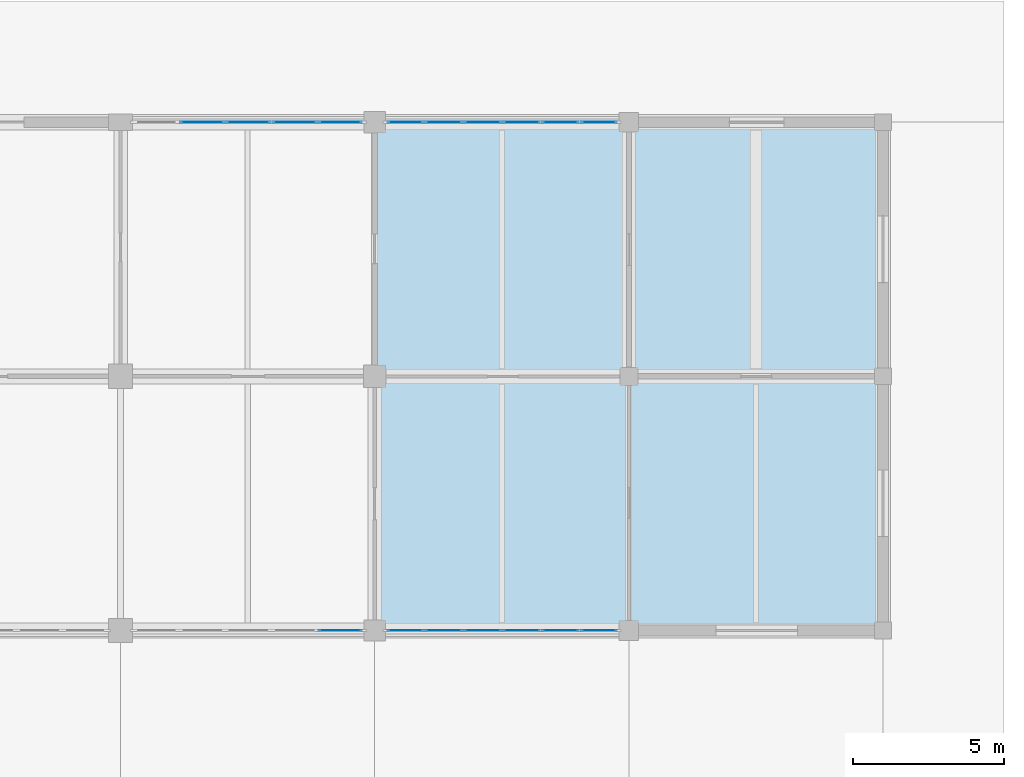
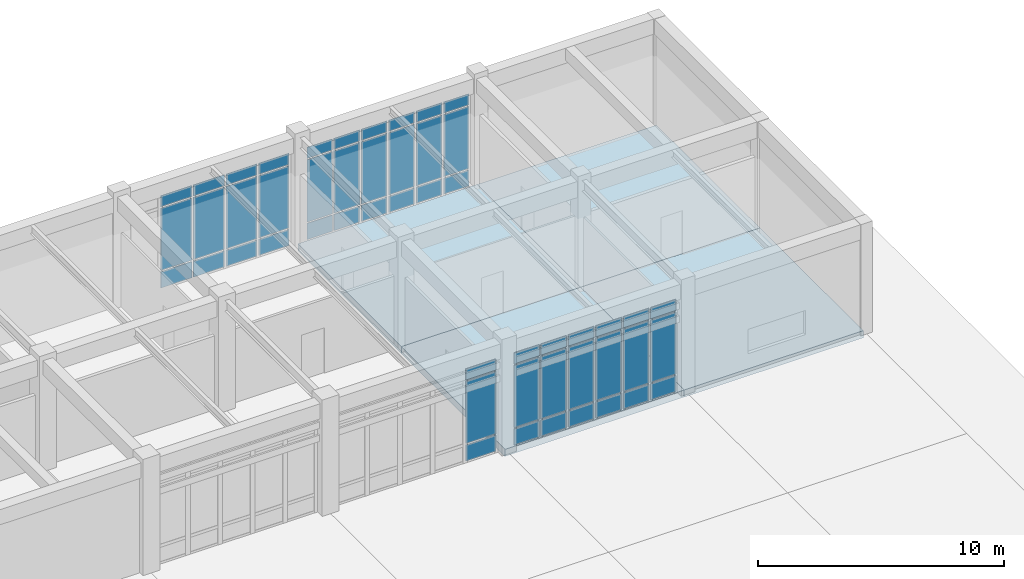
# One storey, part 64 of 91: 51 plates, 4 slabs, 4 elements without a shape of their own.
"""IFC4 building model written with IfcOpenShell, lengths in metres."""

import ifcopenshell
import ifcopenshell.guid

model = None  # the IFC model being written
_history = None  # IfcOwnerHistory: only IFC2X3 demands one
_inside = {}  # id of a spatial element -> (the spatial element, [elements in it])
_under = {}  # id of a project, library or spatial element -> (it, [spatial elements below it])
_declared = {}  # id of a project -> (the project, [libraries it declares])
_typed = {}  # id of a type object -> (the type object, [elements of that type])
_made_of = {}  # id of a material, layer set ... -> (it, [elements and type objects made of it])


def new_model(schema):
    """Start an empty IFC model of exactly this schema.

    Asked for "IFC4X3", IfcOpenShell would pick the latest addendum, in which some entities
    have other attributes; the version numbers below select the first issue.
    IFC2X3 requires an IfcOwnerHistory on every rooted entity: one is made here for all.
    """
    global model, _history
    if schema == "IFC4X3":
        model = ifcopenshell.file(schema_version=(4, 3, 0, 0))
    else:
        model = ifcopenshell.file(schema=schema)
    _inside.clear()
    _under.clear()
    _declared.clear()
    _typed.clear()
    _made_of.clear()
    _history = None
    if model.schema == "IFC2X3":
        org = make("IfcOrganization", Name="unknown")
        user = make(
            "IfcPersonAndOrganization",
            ThePerson=make("IfcPerson", FamilyName="unknown"),
            TheOrganization=org,
        )
        app = make(
            "IfcApplication",
            ApplicationDeveloper=org,
            Version="unknown",
            ApplicationFullName="unknown",
            ApplicationIdentifier="unknown",
        )
        _history = make(
            "IfcOwnerHistory",
            OwningUser=user,
            OwningApplication=app,
            ChangeAction="ADDED",
            CreationDate=0,
        )
    return model


def make(cls, **values):
    """One entity of the class cls with the attributes given. An attribute that is None is left unset."""
    return model.create_entity(
        cls, **{name: value for name, value in values.items() if value is not None}
    )


def rooted(cls, **values):
    """An entity with a GlobalId (a new one), such as an element, a storey or a relation."""
    return make(cls, GlobalId=ifcopenshell.guid.new(), OwnerHistory=_history, **values)


def si_unit(unit_type, name, prefix=None):
    """IfcSIUnit, for example si_unit("LENGTHUNIT", "METRE", prefix="MILLI")."""
    return make("IfcSIUnit", UnitType=unit_type, Prefix=prefix, Name=name)


def assignment(units):
    """IfcUnitAssignment: the units of a project."""
    return None if units is None else make("IfcUnitAssignment", Units=units)


def point(xyz):
    """IfcCartesianPoint."""
    return None if xyz is None else make("IfcCartesianPoint", Coordinates=xyz)


def direction(xyz):
    """IfcDirection."""
    return None if xyz is None else make("IfcDirection", DirectionRatios=xyz)


def frame(location, z_axis=None, x_axis=None):
    """IfcAxis2Placement3D, a coordinate frame: its origin and axes. An axis left out is left unset."""
    return make(
        "IfcAxis2Placement3D",
        Location=point(location),
        Axis=direction(z_axis),
        RefDirection=direction(x_axis),
    )


def frame_2d(location, x_axis=None):
    """IfcAxis2Placement2D, a coordinate frame in the plane: its origin and x axis."""
    return make(
        "IfcAxis2Placement2D", Location=point(location), RefDirection=direction(x_axis)
    )


def origin():
    """The frame at (0, 0, 0) with its axes left unset."""
    return frame((0.0, 0.0, 0.0))


def origin_2d():
    """The frame at (0, 0) in the plane with its x axis left unset."""
    return frame_2d((0.0, 0.0))


def place(relative_to, where):
    """IfcLocalPlacement: puts the frame where relative to a parent placement (None: the world)."""
    return make(
        "IfcLocalPlacement", PlacementRelTo=relative_to, RelativePlacement=where
    )


def context(
    kind, dimensions, precision=None, world=None, true_north=None, identifier=None
):
    """IfcGeometricRepresentationContext, for example the 3D "Model" context."""
    return make(
        "IfcGeometricRepresentationContext",
        ContextIdentifier=identifier,
        ContextType=kind,
        CoordinateSpaceDimension=dimensions,
        Precision=precision,
        WorldCoordinateSystem=world,
        TrueNorth=true_north,
    )


def subcontext(parent, identifier, kind, view, scale=None):
    """IfcGeometricRepresentationSubContext, for example "Body" below "Model"."""
    return make(
        "IfcGeometricRepresentationSubContext",
        ContextIdentifier=identifier,
        ContextType=kind,
        ParentContext=parent,
        TargetScale=scale,
        TargetView=view,
    )


def project(units=None, contexts=None):
    """IfcProject with its units and contexts."""
    return rooted(
        "IfcProject",
        Name="project",
        RepresentationContexts=contexts,
        UnitsInContext=assignment(units),
    )


def spatial(cls, under=None, at=None, **own):
    """A site, building, storey or space (cls), placed at a placement, below another one or the project."""
    s = rooted(cls, ObjectPlacement=at, **own)
    if under is not None:
        _under.setdefault(under.id(), (under, []))[1].append(s)
    return s


def polyline(points):
    """IfcPolyline through the points."""
    return make("IfcPolyline", Points=[point(p) for p in points])


def profile(cls, at=None, kind="AREA", **sizes):
    """A parametric profile (cls). Its sizes go by their IFC names, for example OverallWidth=200.0."""
    return make(cls, ProfileType=kind, Position=at, **sizes)


def rectangle(**sizes):
    """IfcRectangleProfileDef."""
    return profile("IfcRectangleProfileDef", **sizes)


def outline(outer, holes=None, kind="AREA"):
    """IfcArbitraryClosedProfileDef: a profile drawn as a closed curve; with holes, ...WithVoids."""
    if holes is None:
        return make("IfcArbitraryClosedProfileDef", ProfileType=kind, OuterCurve=outer)
    return make(
        "IfcArbitraryProfileDefWithVoids",
        ProfileType=kind,
        OuterCurve=outer,
        InnerCurves=holes,
    )


def extrude(swept, where, along, depth):
    """IfcExtrudedAreaSolid: the profile swept, set in the frame where, extruded along a direction by depth."""
    return make(
        "IfcExtrudedAreaSolid",
        SweptArea=swept,
        Position=where,
        ExtrudedDirection=direction(along),
        Depth=depth,
    )


def shape(context_of_items, identifier, shape_type, items):
    """IfcShapeRepresentation: the items that make up one representation, for example the "Body"."""
    return make(
        "IfcShapeRepresentation",
        ContextOfItems=context_of_items,
        RepresentationIdentifier=identifier,
        RepresentationType=shape_type,
        Items=items,
    )


def material(Name=None, Category=None):
    """IfcMaterial."""
    return make("IfcMaterial", Name=Name, Category=Category)


def layer(
    of_material, thickness, ventilated=None, Name=None, Category=None, Priority=None
):
    """IfcMaterialLayer: one layer of a wall or slab, of a material (None: an air gap)."""
    return make(
        "IfcMaterialLayer",
        Material=of_material,
        LayerThickness=thickness,
        IsVentilated=ventilated,
        Name=Name,
        Category=Category,
        Priority=Priority,
    )


def layer_set(layers, Name=None):
    """IfcMaterialLayerSet."""
    return make("IfcMaterialLayerSet", MaterialLayers=layers, LayerSetName=Name)


def made_of(thing, what):
    """Note that an element or type object is made of a material, layer set ...; save() writes the relation."""
    if what is not None:
        _made_of.setdefault(what.id(), (what, []))[1].append(thing)
    return thing


def type_object(cls, material=None, **own):
    """A type object (cls), such as IfcWallType, which elements share."""
    return made_of(rooted(cls, **own), material)


def element(
    cls,
    number,
    at=None,
    inside=None,
    cuts=None,
    type_object=None,
    material=None,
    context=None,
    identifier="Body",
    shape_type=None,
    held_by="IfcProductDefinitionShape",
    body=None,
    shapes=None,
    **own,
):
    """One element of the class cls, such as IfcWall. Its Tag is "e" and its number.

    at: its placement. inside: the storey or other place that contains it. cuts: it is an
    opening in that element (IfcRelVoidsElement). A single representation is given by context,
    identifier, shape_type and body (its items); several are given by shapes. held_by: the class
    of the entity that holds the representations. save() writes the other relations.
    """
    e = rooted(cls, Tag="e%d" % number, ObjectPlacement=at, **own)
    if body is not None:
        shapes = [shape(context, identifier, shape_type, body)]
    if shapes is not None:
        e.Representation = make(held_by, Representations=shapes)
    if inside is not None:
        _inside.setdefault(inside.id(), (inside, []))[1].append(e)
    if cuts is not None:
        rooted(
            "IfcRelVoidsElement", RelatingBuildingElement=cuts, RelatedOpeningElement=e
        )
    if type_object is not None:
        _typed.setdefault(type_object.id(), (type_object, []))[1].append(e)
    return made_of(e, material)


def aggregate(whole, parts):
    """IfcRelAggregates: a whole, such as a stair, and the parts it consists of."""
    return rooted("IfcRelAggregates", RelatingObject=whole, RelatedObjects=parts)


def save(model, path):
    """Write the relations noted so far, then the file.

    IfcRelAggregates (storeys below a building ...), IfcRelContainedInSpatialStructure (elements
    in a storey), IfcRelDefinesByType, IfcRelAssociatesMaterial and IfcRelDeclares: one each for
    every whole, place, type object, material and project.
    """
    for whole, parts in _under.values():
        aggregate(whole, parts)
    for where, things in _inside.values():
        rooted(
            "IfcRelContainedInSpatialStructure",
            RelatedElements=things,
            RelatingStructure=where,
        )
    for kind, things in _typed.values():
        rooted("IfcRelDefinesByType", RelatedObjects=things, RelatingType=kind)
    for what, things in _made_of.values():
        rooted("IfcRelAssociatesMaterial", RelatedObjects=things, RelatingMaterial=what)
    for by, libraries in _declared.values():
        rooted("IfcRelDeclares", RelatingContext=by, RelatedDefinitions=libraries)
    model.write(path)


model = new_model("IFC4")

# Units and contexts
model_context = context("Model", 3, precision=1e-05, world=origin(), true_north=direction((0.0, 1.0)))
body_context = subcontext(model_context, "Body", "Model", "MODEL_VIEW")
ifc_project = project(units=[si_unit("LENGTHUNIT", "METRE"), si_unit("AREAUNIT", "SQUARE_METRE"), si_unit("VOLUMEUNIT", "CUBIC_METRE"), si_unit("PLANEANGLEUNIT", "RADIAN"), si_unit("MASSUNIT", "GRAM", prefix="KILO")], contexts=[model_context])

# Site, building, storey
site_placement = place(None, origin())
site = spatial("IfcSite", under=ifc_project, at=site_placement, CompositionType="ELEMENT")
building_placement = place(site_placement, origin())
building = spatial("IfcBuilding", under=site, at=building_placement, Name="Porcellanite Civic Hall", CompositionType="ELEMENT")
storey_placement = place(building_placement, origin())
storey = spatial("IfcBuildingStorey", under=building, at=storey_placement, Name="L00", CompositionType="ELEMENT", Elevation=0.0)

# Curtain wall, plates
ifc_material_1 = material(Name="Anodised aluminium and solar laminated glass", Category="aluminium")
ifc_layer_1 = layer(ifc_material_1, 0.179931640625)
ifc_layer_set_1 = layer_set([ifc_layer_1], Name="Anodised aluminium and solar laminated glass")
curtain_wall_type = type_object("IfcCurtainWallType", Name="CW-SYS02", PredefinedType="NOTDEFINED", material=ifc_layer_set_1)
curtain_wall_1_placement = place(storey_placement, origin())
curtain_wall_1 = element("IfcCurtainWall", 1, at=curtain_wall_1_placement, inside=storey, type_object=curtain_wall_type, Name="Curtain wall CW-052", PredefinedType="NOTDEFINED")
ifc_material_2 = material(Name="Cyclone laminated solar-control low-E glass", Category="glass")
ifc_layer_2 = layer(ifc_material_2, 0.02587890625)
ifc_layer_set_2 = layer_set([ifc_layer_2], Name="Cyclone laminated solar-control low-E glass")
plate_type = type_object("IfcPlateType", Name="CWP-02", PredefinedType="CURTAIN_PANEL", material=ifc_layer_set_2)
plate_1_placement = place(storey_placement, frame((158.46533203125, 100.800048828125, 0.06494140625), z_axis=(0.0, 0.0, 1.0), x_axis=(-1.0, 0.0, 0.0)))
plate_1 = element("IfcPlate", 2, at=plate_1_placement, type_object=plate_type, Name="CW-052 panel 1.1", PredefinedType="CURTAIN_PANEL", context=body_context, shape_type="SweptSolid", body=[
    extrude(rectangle(XDim=1.4169921875, YDim=0.02587890625, at=origin_2d()), origin(), (0.0, 0.0, 1.0), 0.802490234375),
])
plate_2_placement = place(storey_placement, frame((158.46533203125, 100.800048828125, 0.9326171875), z_axis=(0.0, 0.0, 1.0), x_axis=(-1.0, 0.0, 0.0)))
plate_2 = element("IfcPlate", 3, at=plate_2_placement, type_object=plate_type, Name="CW-052 panel 1.2", PredefinedType="CURTAIN_PANEL", context=body_context, shape_type="SweptSolid", body=[
    extrude(rectangle(XDim=1.4169921875, YDim=0.02587890625, at=origin_2d()), origin(), (0.0, 0.0, 1.0), 3.0849609375),
])
plate_3_placement = place(storey_placement, frame((158.46533203125, 100.800048828125, 4.08251953125), z_axis=(0.0, 0.0, 1.0), x_axis=(-1.0, 0.0, 0.0)))
plate_3 = element("IfcPlate", 4, at=plate_3_placement, type_object=plate_type, Name="CW-052 panel 1.3", PredefinedType="CURTAIN_PANEL", context=body_context, shape_type="SweptSolid", body=[
    extrude(rectangle(XDim=1.4169921875, YDim=0.02587890625, at=origin_2d()), origin(), (0.0, 0.0, 1.0), 0.552490234375),
])
aggregate(curtain_wall_1, [plate_1, plate_2, plate_3])

curtain_wall_2_placement = place(storey_placement, origin())
curtain_wall_2 = element("IfcCurtainWall", 5, at=curtain_wall_2_placement, inside=storey, type_object=curtain_wall_type, Name="Curtain wall CW-053", PredefinedType="NOTDEFINED")
plate_4_placement = place(storey_placement, frame((153.8955078125, 117.60009765625, 0.06494140625), z_axis=(0.0, 0.0, 1.0), x_axis=(1.0, 0.0, 0.0)))
plate_4 = element("IfcPlate", 6, at=plate_4_placement, type_object=plate_type, Name="CW-053 panel 2.1", PredefinedType="CURTAIN_PANEL", context=body_context, shape_type="SweptSolid", body=[
    extrude(rectangle(XDim=1.45458984375, YDim=0.02587890625, at=origin_2d()), origin(), (0.0, 0.0, 1.0), 0.802490234375),
])
plate_5_placement = place(storey_placement, frame((153.8955078125, 117.60009765625, 0.9326171875), z_axis=(0.0, 0.0, 1.0), x_axis=(1.0, 0.0, 0.0)))
plate_5 = element("IfcPlate", 7, at=plate_5_placement, type_object=plate_type, Name="CW-053 panel 2.2", PredefinedType="CURTAIN_PANEL", context=body_context, shape_type="SweptSolid", body=[
    extrude(rectangle(XDim=1.45458984375, YDim=0.02587890625, at=origin_2d()), origin(), (0.0, 0.0, 1.0), 3.0849609375),
])
plate_6_placement = place(storey_placement, frame((153.8955078125, 117.60009765625, 4.08251953125), z_axis=(0.0, 0.0, 1.0), x_axis=(1.0, 0.0, 0.0)))
plate_6 = element("IfcPlate", 8, at=plate_6_placement, type_object=plate_type, Name="CW-053 panel 2.3", PredefinedType="CURTAIN_PANEL", context=body_context, shape_type="SweptSolid", body=[
    extrude(rectangle(XDim=1.45458984375, YDim=0.02587890625, at=origin_2d()), origin(), (0.0, 0.0, 1.0), 0.552490234375),
])
plate_7_placement = place(storey_placement, frame((155.425048828125, 117.60009765625, 0.06494140625), z_axis=(0.0, 0.0, 1.0), x_axis=(1.0, 0.0, 0.0)))
plate_7 = element("IfcPlate", 9, at=plate_7_placement, type_object=plate_type, Name="CW-053 panel 3.1", PredefinedType="CURTAIN_PANEL", context=body_context, shape_type="SweptSolid", body=[
    extrude(rectangle(XDim=1.45458984375, YDim=0.02587890625, at=origin_2d()), origin(), (0.0, 0.0, 1.0), 0.802490234375),
])
plate_8_placement = place(storey_placement, frame((155.425048828125, 117.60009765625, 0.9326171875), z_axis=(0.0, 0.0, 1.0), x_axis=(1.0, 0.0, 0.0)))
plate_8 = element("IfcPlate", 10, at=plate_8_placement, type_object=plate_type, Name="CW-053 panel 3.2", PredefinedType="CURTAIN_PANEL", context=body_context, shape_type="SweptSolid", body=[
    extrude(rectangle(XDim=1.45458984375, YDim=0.02587890625, at=origin_2d()), origin(), (0.0, 0.0, 1.0), 3.0849609375),
])
plate_9_placement = place(storey_placement, frame((155.425048828125, 117.60009765625, 4.08251953125), z_axis=(0.0, 0.0, 1.0), x_axis=(1.0, 0.0, 0.0)))
plate_9 = element("IfcPlate", 11, at=plate_9_placement, type_object=plate_type, Name="CW-053 panel 3.3", PredefinedType="CURTAIN_PANEL", context=body_context, shape_type="SweptSolid", body=[
    extrude(rectangle(XDim=1.45458984375, YDim=0.02587890625, at=origin_2d()), origin(), (0.0, 0.0, 1.0), 0.552490234375),
])
plate_10_placement = place(storey_placement, frame((156.95458984375, 117.60009765625, 0.06494140625), z_axis=(0.0, 0.0, 1.0), x_axis=(1.0, 0.0, 0.0)))
plate_10 = element("IfcPlate", 12, at=plate_10_placement, type_object=plate_type, Name="CW-053 panel 4.1", PredefinedType="CURTAIN_PANEL", context=body_context, shape_type="SweptSolid", body=[
    extrude(rectangle(XDim=1.45458984375, YDim=0.02587890625, at=origin_2d()), origin(), (0.0, 0.0, 1.0), 0.802490234375),
])
plate_11_placement = place(storey_placement, frame((156.95458984375, 117.60009765625, 0.9326171875), z_axis=(0.0, 0.0, 1.0), x_axis=(1.0, 0.0, 0.0)))
plate_11 = element("IfcPlate", 13, at=plate_11_placement, type_object=plate_type, Name="CW-053 panel 4.2", PredefinedType="CURTAIN_PANEL", context=body_context, shape_type="SweptSolid", body=[
    extrude(rectangle(XDim=1.45458984375, YDim=0.02587890625, at=origin_2d()), origin(), (0.0, 0.0, 1.0), 3.0849609375),
])
plate_12_placement = place(storey_placement, frame((156.95458984375, 117.60009765625, 4.08251953125), z_axis=(0.0, 0.0, 1.0), x_axis=(1.0, 0.0, 0.0)))
plate_12 = element("IfcPlate", 14, at=plate_12_placement, type_object=plate_type, Name="CW-053 panel 4.3", PredefinedType="CURTAIN_PANEL", context=body_context, shape_type="SweptSolid", body=[
    extrude(rectangle(XDim=1.45458984375, YDim=0.02587890625, at=origin_2d()), origin(), (0.0, 0.0, 1.0), 0.552490234375),
])
plate_13_placement = place(storey_placement, frame((158.46533203125, 117.60009765625, 0.06494140625), z_axis=(0.0, 0.0, 1.0), x_axis=(1.0, 0.0, 0.0)))
plate_13 = element("IfcPlate", 15, at=plate_13_placement, type_object=plate_type, Name="CW-053 panel 5.1", PredefinedType="CURTAIN_PANEL", context=body_context, shape_type="SweptSolid", body=[
    extrude(rectangle(XDim=1.4169921875, YDim=0.02587890625, at=origin_2d()), origin(), (0.0, 0.0, 1.0), 0.802490234375),
])
plate_14_placement = place(storey_placement, frame((158.46533203125, 117.60009765625, 0.9326171875), z_axis=(0.0, 0.0, 1.0), x_axis=(1.0, 0.0, 0.0)))
plate_14 = element("IfcPlate", 16, at=plate_14_placement, type_object=plate_type, Name="CW-053 panel 5.2", PredefinedType="CURTAIN_PANEL", context=body_context, shape_type="SweptSolid", body=[
    extrude(rectangle(XDim=1.4169921875, YDim=0.02587890625, at=origin_2d()), origin(), (0.0, 0.0, 1.0), 3.0849609375),
])
plate_15_placement = place(storey_placement, frame((158.46533203125, 117.60009765625, 4.08251953125), z_axis=(0.0, 0.0, 1.0), x_axis=(1.0, 0.0, 0.0)))
plate_15 = element("IfcPlate", 17, at=plate_15_placement, type_object=plate_type, Name="CW-053 panel 5.3", PredefinedType="CURTAIN_PANEL", context=body_context, shape_type="SweptSolid", body=[
    extrude(rectangle(XDim=1.4169921875, YDim=0.02587890625, at=origin_2d()), origin(), (0.0, 0.0, 1.0), 0.552490234375),
])
aggregate(curtain_wall_2, [plate_4, plate_5, plate_6, plate_7, plate_8, plate_9, plate_10, plate_11, plate_12, plate_13, plate_14, plate_15])

curtain_wall_3_placement = place(storey_placement, origin())
curtain_wall_3 = element("IfcCurtainWall", 18, at=curtain_wall_3_placement, inside=storey, type_object=curtain_wall_type, Name="Curtain wall CW-055", PredefinedType="NOTDEFINED")
plate_16_placement = place(storey_placement, frame((167.01171875, 100.800048828125, 0.06494140625), z_axis=(0.0, 0.0, 1.0), x_axis=(-1.0, 0.0, 0.0)))
plate_16 = element("IfcPlate", 19, at=plate_16_placement, type_object=plate_type, Name="CW-055 panel 1.1", PredefinedType="CURTAIN_PANEL", context=body_context, shape_type="SweptSolid", body=[
    extrude(rectangle(XDim=1.174560546875, YDim=0.02587890625, at=origin_2d()), origin(), (0.0, 0.0, 1.0), 0.802490234375),
])
plate_17_placement = place(storey_placement, frame((167.01171875, 100.800048828125, 0.9326171875), z_axis=(0.0, 0.0, 1.0), x_axis=(-1.0, 0.0, 0.0)))
plate_17 = element("IfcPlate", 20, at=plate_17_placement, type_object=plate_type, Name="CW-055 panel 1.2", PredefinedType="CURTAIN_PANEL", context=body_context, shape_type="SweptSolid", body=[
    extrude(rectangle(XDim=1.174560546875, YDim=0.02587890625, at=origin_2d()), origin(), (0.0, 0.0, 1.0), 3.0849609375),
])
plate_18_placement = place(storey_placement, frame((167.01171875, 100.800048828125, 4.08251953125), z_axis=(0.0, 0.0, 1.0), x_axis=(-1.0, 0.0, 0.0)))
plate_18 = element("IfcPlate", 21, at=plate_18_placement, type_object=plate_type, Name="CW-055 panel 1.3", PredefinedType="CURTAIN_PANEL", context=body_context, shape_type="SweptSolid", body=[
    extrude(rectangle(XDim=1.174560546875, YDim=0.02587890625, at=origin_2d()), origin(), (0.0, 0.0, 1.0), 0.552490234375),
])
plate_19_placement = place(storey_placement, frame((165.7431640625, 100.800048828125, 0.06494140625), z_axis=(0.0, 0.0, 1.0), x_axis=(-1.0, 0.0, 0.0)))
plate_19 = element("IfcPlate", 22, at=plate_19_placement, type_object=plate_type, Name="CW-055 panel 2.1", PredefinedType="CURTAIN_PANEL", context=body_context, shape_type="SweptSolid", body=[
    extrude(rectangle(XDim=1.212158203125, YDim=0.02587890625, at=origin_2d()), origin(), (0.0, 0.0, 1.0), 0.802490234375),
])
plate_20_placement = place(storey_placement, frame((165.7431640625, 100.800048828125, 0.9326171875), z_axis=(0.0, 0.0, 1.0), x_axis=(-1.0, 0.0, 0.0)))
plate_20 = element("IfcPlate", 23, at=plate_20_placement, type_object=plate_type, Name="CW-055 panel 2.2", PredefinedType="CURTAIN_PANEL", context=body_context, shape_type="SweptSolid", body=[
    extrude(rectangle(XDim=1.212158203125, YDim=0.02587890625, at=origin_2d()), origin(), (0.0, 0.0, 1.0), 3.0849609375),
])
plate_21_placement = place(storey_placement, frame((165.7431640625, 100.800048828125, 4.08251953125), z_axis=(0.0, 0.0, 1.0), x_axis=(-1.0, 0.0, 0.0)))
plate_21 = element("IfcPlate", 24, at=plate_21_placement, type_object=plate_type, Name="CW-055 panel 2.3", PredefinedType="CURTAIN_PANEL", context=body_context, shape_type="SweptSolid", body=[
    extrude(rectangle(XDim=1.212158203125, YDim=0.02587890625, at=origin_2d()), origin(), (0.0, 0.0, 1.0), 0.552490234375),
])
plate_22_placement = place(storey_placement, frame((164.4560546875, 100.800048828125, 0.06494140625), z_axis=(0.0, 0.0, 1.0), x_axis=(-1.0, 0.0, 0.0)))
plate_22 = element("IfcPlate", 25, at=plate_22_placement, type_object=plate_type, Name="CW-055 panel 3.1", PredefinedType="CURTAIN_PANEL", context=body_context, shape_type="SweptSolid", body=[
    extrude(rectangle(XDim=1.212158203125, YDim=0.02587890625, at=origin_2d()), origin(), (0.0, 0.0, 1.0), 0.802490234375),
])
plate_23_placement = place(storey_placement, frame((164.4560546875, 100.800048828125, 0.9326171875), z_axis=(0.0, 0.0, 1.0), x_axis=(-1.0, 0.0, 0.0)))
plate_23 = element("IfcPlate", 26, at=plate_23_placement, type_object=plate_type, Name="CW-055 panel 3.2", PredefinedType="CURTAIN_PANEL", context=body_context, shape_type="SweptSolid", body=[
    extrude(rectangle(XDim=1.212158203125, YDim=0.02587890625, at=origin_2d()), origin(), (0.0, 0.0, 1.0), 3.0849609375),
])
plate_24_placement = place(storey_placement, frame((164.4560546875, 100.800048828125, 4.08251953125), z_axis=(0.0, 0.0, 1.0), x_axis=(-1.0, 0.0, 0.0)))
plate_24 = element("IfcPlate", 27, at=plate_24_placement, type_object=plate_type, Name="CW-055 panel 3.3", PredefinedType="CURTAIN_PANEL", context=body_context, shape_type="SweptSolid", body=[
    extrude(rectangle(XDim=1.212158203125, YDim=0.02587890625, at=origin_2d()), origin(), (0.0, 0.0, 1.0), 0.552490234375),
])
plate_25_placement = place(storey_placement, frame((163.1689453125, 100.800048828125, 0.06494140625), z_axis=(0.0, 0.0, 1.0), x_axis=(-1.0, 0.0, 0.0)))
plate_25 = element("IfcPlate", 28, at=plate_25_placement, type_object=plate_type, Name="CW-055 panel 4.1", PredefinedType="CURTAIN_PANEL", context=body_context, shape_type="SweptSolid", body=[
    extrude(rectangle(XDim=1.212158203125, YDim=0.02587890625, at=origin_2d()), origin(), (0.0, 0.0, 1.0), 0.802490234375),
])
plate_26_placement = place(storey_placement, frame((163.1689453125, 100.800048828125, 0.9326171875), z_axis=(0.0, 0.0, 1.0), x_axis=(-1.0, 0.0, 0.0)))
plate_26 = element("IfcPlate", 29, at=plate_26_placement, type_object=plate_type, Name="CW-055 panel 4.2", PredefinedType="CURTAIN_PANEL", context=body_context, shape_type="SweptSolid", body=[
    extrude(rectangle(XDim=1.212158203125, YDim=0.02587890625, at=origin_2d()), origin(), (0.0, 0.0, 1.0), 3.0849609375),
])
plate_27_placement = place(storey_placement, frame((163.1689453125, 100.800048828125, 4.08251953125), z_axis=(0.0, 0.0, 1.0), x_axis=(-1.0, 0.0, 0.0)))
plate_27 = element("IfcPlate", 30, at=plate_27_placement, type_object=plate_type, Name="CW-055 panel 4.3", PredefinedType="CURTAIN_PANEL", context=body_context, shape_type="SweptSolid", body=[
    extrude(rectangle(XDim=1.212158203125, YDim=0.02587890625, at=origin_2d()), origin(), (0.0, 0.0, 1.0), 0.552490234375),
])
plate_28_placement = place(storey_placement, frame((161.8818359375, 100.800048828125, 0.06494140625), z_axis=(0.0, 0.0, 1.0), x_axis=(-1.0, 0.0, 0.0)))
plate_28 = element("IfcPlate", 31, at=plate_28_placement, type_object=plate_type, Name="CW-055 panel 5.1", PredefinedType="CURTAIN_PANEL", context=body_context, shape_type="SweptSolid", body=[
    extrude(rectangle(XDim=1.212158203125, YDim=0.02587890625, at=origin_2d()), origin(), (0.0, 0.0, 1.0), 0.802490234375),
])
plate_29_placement = place(storey_placement, frame((161.8818359375, 100.800048828125, 0.9326171875), z_axis=(0.0, 0.0, 1.0), x_axis=(-1.0, 0.0, 0.0)))
plate_29 = element("IfcPlate", 32, at=plate_29_placement, type_object=plate_type, Name="CW-055 panel 5.2", PredefinedType="CURTAIN_PANEL", context=body_context, shape_type="SweptSolid", body=[
    extrude(rectangle(XDim=1.212158203125, YDim=0.02587890625, at=origin_2d()), origin(), (0.0, 0.0, 1.0), 3.0849609375),
])
plate_30_placement = place(storey_placement, frame((161.8818359375, 100.800048828125, 4.08251953125), z_axis=(0.0, 0.0, 1.0), x_axis=(-1.0, 0.0, 0.0)))
plate_30 = element("IfcPlate", 33, at=plate_30_placement, type_object=plate_type, Name="CW-055 panel 5.3", PredefinedType="CURTAIN_PANEL", context=body_context, shape_type="SweptSolid", body=[
    extrude(rectangle(XDim=1.212158203125, YDim=0.02587890625, at=origin_2d()), origin(), (0.0, 0.0, 1.0), 0.552490234375),
])
plate_31_placement = place(storey_placement, frame((160.61328125, 100.800048828125, 0.06494140625), z_axis=(0.0, 0.0, 1.0), x_axis=(-1.0, 0.0, 0.0)))
plate_31 = element("IfcPlate", 34, at=plate_31_placement, type_object=plate_type, Name="CW-055 panel 6.1", PredefinedType="CURTAIN_PANEL", context=body_context, shape_type="SweptSolid", body=[
    extrude(rectangle(XDim=1.174560546875, YDim=0.02587890625, at=origin_2d()), origin(), (0.0, 0.0, 1.0), 0.802490234375),
])
plate_32_placement = place(storey_placement, frame((160.61328125, 100.800048828125, 0.9326171875), z_axis=(0.0, 0.0, 1.0), x_axis=(-1.0, 0.0, 0.0)))
plate_32 = element("IfcPlate", 35, at=plate_32_placement, type_object=plate_type, Name="CW-055 panel 6.2", PredefinedType="CURTAIN_PANEL", context=body_context, shape_type="SweptSolid", body=[
    extrude(rectangle(XDim=1.174560546875, YDim=0.02587890625, at=origin_2d()), origin(), (0.0, 0.0, 1.0), 3.0849609375),
])
plate_33_placement = place(storey_placement, frame((160.61328125, 100.800048828125, 4.08251953125), z_axis=(0.0, 0.0, 1.0), x_axis=(-1.0, 0.0, 0.0)))
plate_33 = element("IfcPlate", 36, at=plate_33_placement, type_object=plate_type, Name="CW-055 panel 6.3", PredefinedType="CURTAIN_PANEL", context=body_context, shape_type="SweptSolid", body=[
    extrude(rectangle(XDim=1.174560546875, YDim=0.02587890625, at=origin_2d()), origin(), (0.0, 0.0, 1.0), 0.552490234375),
])
aggregate(curtain_wall_3, [plate_16, plate_17, plate_18, plate_19, plate_20, plate_21, plate_22, plate_23, plate_24, plate_25, plate_26, plate_27, plate_28, plate_29, plate_30, plate_31, plate_32, plate_33])

curtain_wall_4_placement = place(storey_placement, origin())
curtain_wall_4 = element("IfcCurtainWall", 37, at=curtain_wall_4_placement, inside=storey, type_object=curtain_wall_type, Name="Curtain wall CW-056", PredefinedType="NOTDEFINED")
plate_34_placement = place(storey_placement, frame((160.61328125, 117.60009765625, 0.06494140625), z_axis=(0.0, 0.0, 1.0), x_axis=(1.0, 0.0, 0.0)))
plate_34 = element("IfcPlate", 38, at=plate_34_placement, type_object=plate_type, Name="CW-056 panel 1.1", PredefinedType="CURTAIN_PANEL", context=body_context, shape_type="SweptSolid", body=[
    extrude(rectangle(XDim=1.174560546875, YDim=0.02587890625, at=origin_2d()), origin(), (0.0, 0.0, 1.0), 0.802490234375),
])
plate_35_placement = place(storey_placement, frame((160.61328125, 117.60009765625, 0.9326171875), z_axis=(0.0, 0.0, 1.0), x_axis=(1.0, 0.0, 0.0)))
plate_35 = element("IfcPlate", 39, at=plate_35_placement, type_object=plate_type, Name="CW-056 panel 1.2", PredefinedType="CURTAIN_PANEL", context=body_context, shape_type="SweptSolid", body=[
    extrude(rectangle(XDim=1.174560546875, YDim=0.02587890625, at=origin_2d()), origin(), (0.0, 0.0, 1.0), 3.0849609375),
])
plate_36_placement = place(storey_placement, frame((160.61328125, 117.60009765625, 4.08251953125), z_axis=(0.0, 0.0, 1.0), x_axis=(1.0, 0.0, 0.0)))
plate_36 = element("IfcPlate", 40, at=plate_36_placement, type_object=plate_type, Name="CW-056 panel 1.3", PredefinedType="CURTAIN_PANEL", context=body_context, shape_type="SweptSolid", body=[
    extrude(rectangle(XDim=1.174560546875, YDim=0.02587890625, at=origin_2d()), origin(), (0.0, 0.0, 1.0), 0.552490234375),
])
plate_37_placement = place(storey_placement, frame((161.8818359375, 117.60009765625, 0.06494140625), z_axis=(0.0, 0.0, 1.0), x_axis=(1.0, 0.0, 0.0)))
plate_37 = element("IfcPlate", 41, at=plate_37_placement, type_object=plate_type, Name="CW-056 panel 2.1", PredefinedType="CURTAIN_PANEL", context=body_context, shape_type="SweptSolid", body=[
    extrude(rectangle(XDim=1.212158203125, YDim=0.02587890625, at=origin_2d()), origin(), (0.0, 0.0, 1.0), 0.802490234375),
])
plate_38_placement = place(storey_placement, frame((161.8818359375, 117.60009765625, 0.9326171875), z_axis=(0.0, 0.0, 1.0), x_axis=(1.0, 0.0, 0.0)))
plate_38 = element("IfcPlate", 42, at=plate_38_placement, type_object=plate_type, Name="CW-056 panel 2.2", PredefinedType="CURTAIN_PANEL", context=body_context, shape_type="SweptSolid", body=[
    extrude(rectangle(XDim=1.212158203125, YDim=0.02587890625, at=origin_2d()), origin(), (0.0, 0.0, 1.0), 3.0849609375),
])
plate_39_placement = place(storey_placement, frame((161.8818359375, 117.60009765625, 4.08251953125), z_axis=(0.0, 0.0, 1.0), x_axis=(1.0, 0.0, 0.0)))
plate_39 = element("IfcPlate", 43, at=plate_39_placement, type_object=plate_type, Name="CW-056 panel 2.3", PredefinedType="CURTAIN_PANEL", context=body_context, shape_type="SweptSolid", body=[
    extrude(rectangle(XDim=1.212158203125, YDim=0.02587890625, at=origin_2d()), origin(), (0.0, 0.0, 1.0), 0.552490234375),
])
plate_40_placement = place(storey_placement, frame((163.1689453125, 117.60009765625, 0.06494140625), z_axis=(0.0, 0.0, 1.0), x_axis=(1.0, 0.0, 0.0)))
plate_40 = element("IfcPlate", 44, at=plate_40_placement, type_object=plate_type, Name="CW-056 panel 3.1", PredefinedType="CURTAIN_PANEL", context=body_context, shape_type="SweptSolid", body=[
    extrude(rectangle(XDim=1.212158203125, YDim=0.02587890625, at=origin_2d()), origin(), (0.0, 0.0, 1.0), 0.802490234375),
])
plate_41_placement = place(storey_placement, frame((163.1689453125, 117.60009765625, 0.9326171875), z_axis=(0.0, 0.0, 1.0), x_axis=(1.0, 0.0, 0.0)))
plate_41 = element("IfcPlate", 45, at=plate_41_placement, type_object=plate_type, Name="CW-056 panel 3.2", PredefinedType="CURTAIN_PANEL", context=body_context, shape_type="SweptSolid", body=[
    extrude(rectangle(XDim=1.212158203125, YDim=0.02587890625, at=origin_2d()), origin(), (0.0, 0.0, 1.0), 3.0849609375),
])
plate_42_placement = place(storey_placement, frame((163.1689453125, 117.60009765625, 4.08251953125), z_axis=(0.0, 0.0, 1.0), x_axis=(1.0, 0.0, 0.0)))
plate_42 = element("IfcPlate", 46, at=plate_42_placement, type_object=plate_type, Name="CW-056 panel 3.3", PredefinedType="CURTAIN_PANEL", context=body_context, shape_type="SweptSolid", body=[
    extrude(rectangle(XDim=1.212158203125, YDim=0.02587890625, at=origin_2d()), origin(), (0.0, 0.0, 1.0), 0.552490234375),
])
plate_43_placement = place(storey_placement, frame((164.4560546875, 117.60009765625, 0.06494140625), z_axis=(0.0, 0.0, 1.0), x_axis=(1.0, 0.0, 0.0)))
plate_43 = element("IfcPlate", 47, at=plate_43_placement, type_object=plate_type, Name="CW-056 panel 4.1", PredefinedType="CURTAIN_PANEL", context=body_context, shape_type="SweptSolid", body=[
    extrude(rectangle(XDim=1.212158203125, YDim=0.02587890625, at=origin_2d()), origin(), (0.0, 0.0, 1.0), 0.802490234375),
])
plate_44_placement = place(storey_placement, frame((164.4560546875, 117.60009765625, 0.9326171875), z_axis=(0.0, 0.0, 1.0), x_axis=(1.0, 0.0, 0.0)))
plate_44 = element("IfcPlate", 48, at=plate_44_placement, type_object=plate_type, Name="CW-056 panel 4.2", PredefinedType="CURTAIN_PANEL", context=body_context, shape_type="SweptSolid", body=[
    extrude(rectangle(XDim=1.212158203125, YDim=0.02587890625, at=origin_2d()), origin(), (0.0, 0.0, 1.0), 3.0849609375),
])
plate_45_placement = place(storey_placement, frame((164.4560546875, 117.60009765625, 4.08251953125), z_axis=(0.0, 0.0, 1.0), x_axis=(1.0, 0.0, 0.0)))
plate_45 = element("IfcPlate", 49, at=plate_45_placement, type_object=plate_type, Name="CW-056 panel 4.3", PredefinedType="CURTAIN_PANEL", context=body_context, shape_type="SweptSolid", body=[
    extrude(rectangle(XDim=1.212158203125, YDim=0.02587890625, at=origin_2d()), origin(), (0.0, 0.0, 1.0), 0.552490234375),
])
plate_46_placement = place(storey_placement, frame((165.7431640625, 117.60009765625, 0.06494140625), z_axis=(0.0, 0.0, 1.0), x_axis=(1.0, 0.0, 0.0)))
plate_46 = element("IfcPlate", 50, at=plate_46_placement, type_object=plate_type, Name="CW-056 panel 5.1", PredefinedType="CURTAIN_PANEL", context=body_context, shape_type="SweptSolid", body=[
    extrude(rectangle(XDim=1.212158203125, YDim=0.02587890625, at=origin_2d()), origin(), (0.0, 0.0, 1.0), 0.802490234375),
])
plate_47_placement = place(storey_placement, frame((165.7431640625, 117.60009765625, 0.9326171875), z_axis=(0.0, 0.0, 1.0), x_axis=(1.0, 0.0, 0.0)))
plate_47 = element("IfcPlate", 51, at=plate_47_placement, type_object=plate_type, Name="CW-056 panel 5.2", PredefinedType="CURTAIN_PANEL", context=body_context, shape_type="SweptSolid", body=[
    extrude(rectangle(XDim=1.212158203125, YDim=0.02587890625, at=origin_2d()), origin(), (0.0, 0.0, 1.0), 3.0849609375),
])
plate_48_placement = place(storey_placement, frame((165.7431640625, 117.60009765625, 4.08251953125), z_axis=(0.0, 0.0, 1.0), x_axis=(1.0, 0.0, 0.0)))
plate_48 = element("IfcPlate", 52, at=plate_48_placement, type_object=plate_type, Name="CW-056 panel 5.3", PredefinedType="CURTAIN_PANEL", context=body_context, shape_type="SweptSolid", body=[
    extrude(rectangle(XDim=1.212158203125, YDim=0.02587890625, at=origin_2d()), origin(), (0.0, 0.0, 1.0), 0.552490234375),
])
plate_49_placement = place(storey_placement, frame((167.01171875, 117.60009765625, 0.06494140625), z_axis=(0.0, 0.0, 1.0), x_axis=(1.0, 0.0, 0.0)))
plate_49 = element("IfcPlate", 53, at=plate_49_placement, type_object=plate_type, Name="CW-056 panel 6.1", PredefinedType="CURTAIN_PANEL", context=body_context, shape_type="SweptSolid", body=[
    extrude(rectangle(XDim=1.174560546875, YDim=0.02587890625, at=origin_2d()), origin(), (0.0, 0.0, 1.0), 0.802490234375),
])
plate_50_placement = place(storey_placement, frame((167.01171875, 117.60009765625, 0.9326171875), z_axis=(0.0, 0.0, 1.0), x_axis=(1.0, 0.0, 0.0)))
plate_50 = element("IfcPlate", 54, at=plate_50_placement, type_object=plate_type, Name="CW-056 panel 6.2", PredefinedType="CURTAIN_PANEL", context=body_context, shape_type="SweptSolid", body=[
    extrude(rectangle(XDim=1.174560546875, YDim=0.02587890625, at=origin_2d()), origin(), (0.0, 0.0, 1.0), 3.0849609375),
])
plate_51_placement = place(storey_placement, frame((167.01171875, 117.60009765625, 4.08251953125), z_axis=(0.0, 0.0, 1.0), x_axis=(1.0, 0.0, 0.0)))
plate_51 = element("IfcPlate", 55, at=plate_51_placement, type_object=plate_type, Name="CW-056 panel 6.3", PredefinedType="CURTAIN_PANEL", context=body_context, shape_type="SweptSolid", body=[
    extrude(rectangle(XDim=1.174560546875, YDim=0.02587890625, at=origin_2d()), origin(), (0.0, 0.0, 1.0), 0.552490234375),
])
aggregate(curtain_wall_4, [plate_34, plate_35, plate_36, plate_37, plate_38, plate_39, plate_40, plate_41, plate_42, plate_43, plate_44, plate_45, plate_46, plate_47, plate_48, plate_49, plate_50, plate_51])

# Slabs
ifc_material_3 = material(Name="Concrete N40 (40 MPa)", Category="concrete")
ifc_layer_3 = layer(ifc_material_3, 0.35009765625)
ifc_layer_set_3 = layer_set([ifc_layer_3], Name="Concrete N40 (40 MPa)")
slab_type = type_object("IfcSlabType", Name="SL-BASE350", PredefinedType="BASESLAB", material=ifc_layer_set_3)
slab_1_placement = place(storey_placement, frame((0.0, 0.0, -0.35009765625)))
element("IfcSlab", 56, at=slab_1_placement, inside=storey, type_object=slab_type, Name="Slab L00 bay 20-13", PredefinedType="BASESLAB", context=body_context, shape_type="SweptSolid", body=[
    extrude(outline(polyline([(159.60009765625, 100.800048828125), (168.0, 100.800048828125), (168.0, 109.199951171875), (159.60009765625, 109.199951171875), (159.60009765625, 100.800048828125)])), origin(), (0.0, 0.0, 1.0), 0.35009765625),
])
slab_2_placement = place(storey_placement, frame((0.0, 0.0, -0.35009765625)))
element("IfcSlab", 57, at=slab_2_placement, inside=storey, type_object=slab_type, Name="Slab L00 bay 20-14", PredefinedType="BASESLAB", context=body_context, shape_type="SweptSolid", body=[
    extrude(outline(polyline([(159.60009765625, 109.199951171875), (168.0, 109.199951171875), (168.0, 117.60009765625), (159.60009765625, 117.60009765625), (159.60009765625, 109.199951171875)])), origin(), (0.0, 0.0, 1.0), 0.35009765625),
])
slab_3_placement = place(storey_placement, frame((0.0, 0.0, -0.35009765625)))
element("IfcSlab", 58, at=slab_3_placement, inside=storey, type_object=slab_type, Name="Slab L00 bay 21-13", PredefinedType="BASESLAB", context=body_context, shape_type="SweptSolid", body=[
    extrude(outline(polyline([(168.0, 100.800048828125), (176.39990234375, 100.800048828125), (176.39990234375, 109.199951171875), (168.0, 109.199951171875), (168.0, 100.800048828125)])), origin(), (0.0, 0.0, 1.0), 0.35009765625),
])
slab_4_placement = place(storey_placement, frame((0.0, 0.0, -0.35009765625)))
element("IfcSlab", 59, at=slab_4_placement, inside=storey, type_object=slab_type, Name="Slab L00 bay 21-14", PredefinedType="BASESLAB", context=body_context, shape_type="SweptSolid", body=[
    extrude(outline(polyline([(168.0, 109.199951171875), (176.39990234375, 109.199951171875), (176.39990234375, 117.60009765625), (168.0, 117.60009765625), (168.0, 109.199951171875)])), origin(), (0.0, 0.0, 1.0), 0.35009765625),
])

save(model, "model.ifc")
